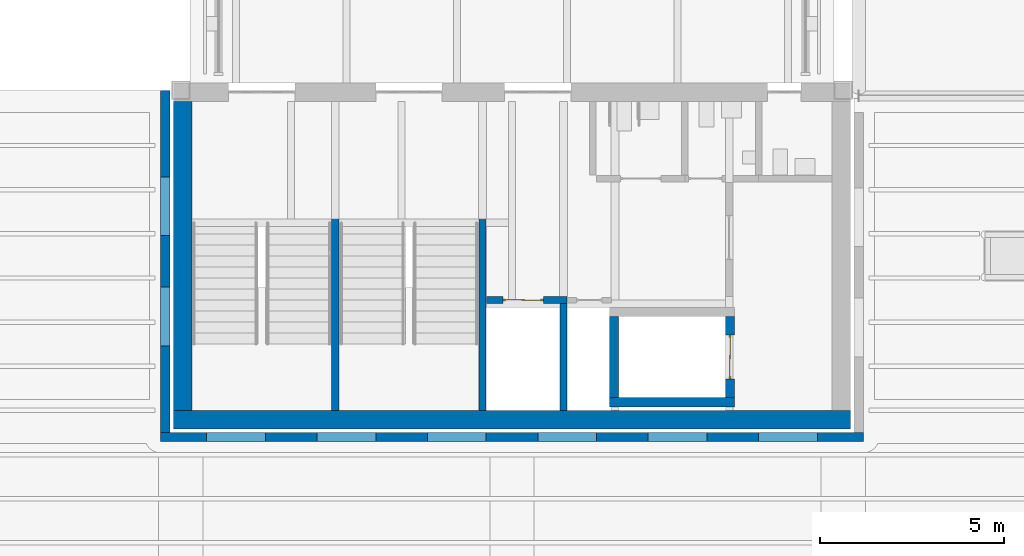
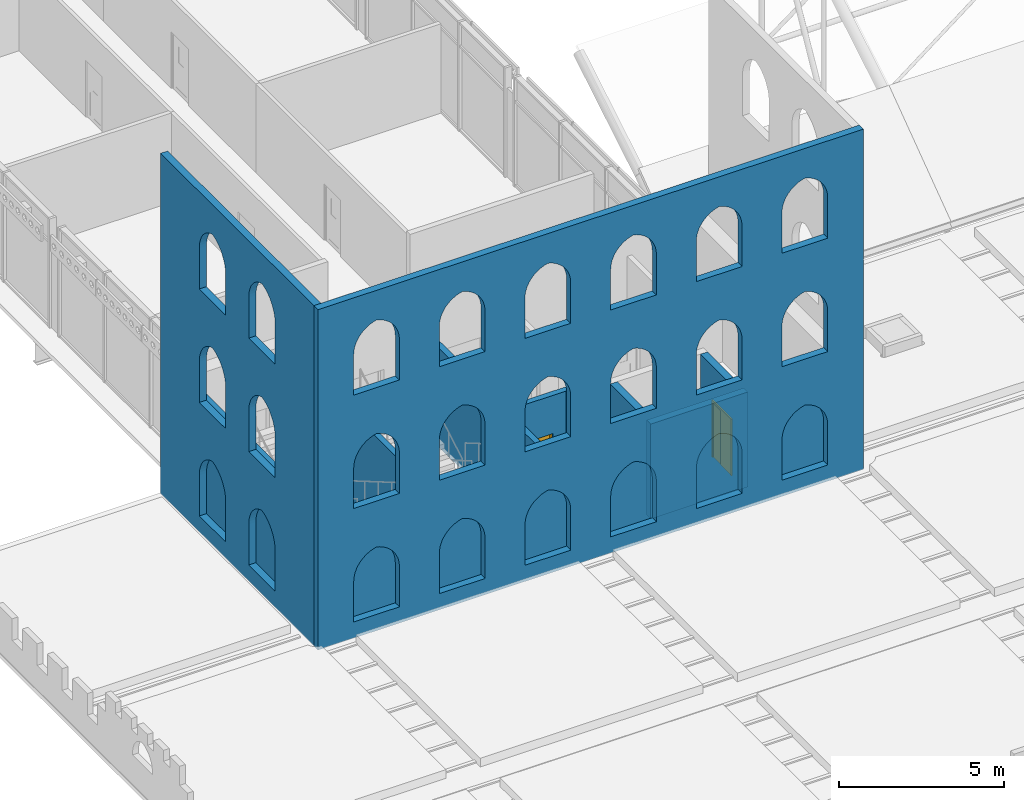
# One storey, part 103 of 153: 11 walls, 2 doors, 2 openings.
"""IFC4 building model written with IfcOpenShell, lengths in metres."""

import ifcopenshell
import ifcopenshell.guid

model = None  # the IFC model being written
_history = None  # IfcOwnerHistory: only IFC2X3 demands one
_inside = {}  # id of a spatial element -> (the spatial element, [elements in it])
_under = {}  # id of a project, library or spatial element -> (it, [spatial elements below it])
_declared = {}  # id of a project -> (the project, [libraries it declares])
_typed = {}  # id of a type object -> (the type object, [elements of that type])
_made_of = {}  # id of a material, layer set ... -> (it, [elements and type objects made of it])


def new_model(schema):
    """Start an empty IFC model of exactly this schema.

    Asked for "IFC4X3", IfcOpenShell would pick the latest addendum, in which some entities
    have other attributes; the version numbers below select the first issue.
    IFC2X3 requires an IfcOwnerHistory on every rooted entity: one is made here for all.
    """
    global model, _history
    if schema == "IFC4X3":
        model = ifcopenshell.file(schema_version=(4, 3, 0, 0))
    else:
        model = ifcopenshell.file(schema=schema)
    _inside.clear()
    _under.clear()
    _declared.clear()
    _typed.clear()
    _made_of.clear()
    _history = None
    if model.schema == "IFC2X3":
        org = make("IfcOrganization", Name="unknown")
        user = make(
            "IfcPersonAndOrganization",
            ThePerson=make("IfcPerson", FamilyName="unknown"),
            TheOrganization=org,
        )
        app = make(
            "IfcApplication",
            ApplicationDeveloper=org,
            Version="unknown",
            ApplicationFullName="unknown",
            ApplicationIdentifier="unknown",
        )
        _history = make(
            "IfcOwnerHistory",
            OwningUser=user,
            OwningApplication=app,
            ChangeAction="ADDED",
            CreationDate=0,
        )
    return model


def make(cls, **values):
    """One entity of the class cls with the attributes given. An attribute that is None is left unset."""
    return model.create_entity(
        cls, **{name: value for name, value in values.items() if value is not None}
    )


def rooted(cls, **values):
    """An entity with a GlobalId (a new one), such as an element, a storey or a relation."""
    return make(cls, GlobalId=ifcopenshell.guid.new(), OwnerHistory=_history, **values)


def si_unit(unit_type, name, prefix=None):
    """IfcSIUnit, for example si_unit("LENGTHUNIT", "METRE", prefix="MILLI")."""
    return make("IfcSIUnit", UnitType=unit_type, Prefix=prefix, Name=name)


def assignment(units):
    """IfcUnitAssignment: the units of a project."""
    return None if units is None else make("IfcUnitAssignment", Units=units)


def point(xyz):
    """IfcCartesianPoint."""
    return None if xyz is None else make("IfcCartesianPoint", Coordinates=xyz)


def direction(xyz):
    """IfcDirection."""
    return None if xyz is None else make("IfcDirection", DirectionRatios=xyz)


def frame(location, z_axis=None, x_axis=None):
    """IfcAxis2Placement3D, a coordinate frame: its origin and axes. An axis left out is left unset."""
    return make(
        "IfcAxis2Placement3D",
        Location=point(location),
        Axis=direction(z_axis),
        RefDirection=direction(x_axis),
    )


def frame_2d(location, x_axis=None):
    """IfcAxis2Placement2D, a coordinate frame in the plane: its origin and x axis."""
    return make(
        "IfcAxis2Placement2D", Location=point(location), RefDirection=direction(x_axis)
    )


def origin():
    """The frame at (0, 0, 0) with its axes left unset."""
    return frame((0.0, 0.0, 0.0))


def place(relative_to, where):
    """IfcLocalPlacement: puts the frame where relative to a parent placement (None: the world)."""
    return make(
        "IfcLocalPlacement", PlacementRelTo=relative_to, RelativePlacement=where
    )


def context(
    kind, dimensions, precision=None, world=None, true_north=None, identifier=None
):
    """IfcGeometricRepresentationContext, for example the 3D "Model" context."""
    return make(
        "IfcGeometricRepresentationContext",
        ContextIdentifier=identifier,
        ContextType=kind,
        CoordinateSpaceDimension=dimensions,
        Precision=precision,
        WorldCoordinateSystem=world,
        TrueNorth=true_north,
    )


def subcontext(parent, identifier, kind, view, scale=None):
    """IfcGeometricRepresentationSubContext, for example "Body" below "Model"."""
    return make(
        "IfcGeometricRepresentationSubContext",
        ContextIdentifier=identifier,
        ContextType=kind,
        ParentContext=parent,
        TargetScale=scale,
        TargetView=view,
    )


def project(units=None, contexts=None):
    """IfcProject with its units and contexts."""
    return rooted(
        "IfcProject",
        Name="project",
        RepresentationContexts=contexts,
        UnitsInContext=assignment(units),
    )


def spatial(cls, under=None, at=None, **own):
    """A site, building, storey or space (cls), placed at a placement, below another one or the project."""
    s = rooted(cls, ObjectPlacement=at, **own)
    if under is not None:
        _under.setdefault(under.id(), (under, []))[1].append(s)
    return s


def polyline(points):
    """IfcPolyline through the points."""
    return make("IfcPolyline", Points=[point(p) for p in points])


def profile(cls, at=None, kind="AREA", **sizes):
    """A parametric profile (cls). Its sizes go by their IFC names, for example OverallWidth=200.0."""
    return make(cls, ProfileType=kind, Position=at, **sizes)


def rectangle(**sizes):
    """IfcRectangleProfileDef."""
    return profile("IfcRectangleProfileDef", **sizes)


def outline(outer, holes=None, kind="AREA"):
    """IfcArbitraryClosedProfileDef: a profile drawn as a closed curve; with holes, ...WithVoids."""
    if holes is None:
        return make("IfcArbitraryClosedProfileDef", ProfileType=kind, OuterCurve=outer)
    return make(
        "IfcArbitraryProfileDefWithVoids",
        ProfileType=kind,
        OuterCurve=outer,
        InnerCurves=holes,
    )


def extrude(swept, where, along, depth):
    """IfcExtrudedAreaSolid: the profile swept, set in the frame where, extruded along a direction by depth."""
    return make(
        "IfcExtrudedAreaSolid",
        SweptArea=swept,
        Position=where,
        ExtrudedDirection=direction(along),
        Depth=depth,
    )


def shape(context_of_items, identifier, shape_type, items):
    """IfcShapeRepresentation: the items that make up one representation, for example the "Body"."""
    return make(
        "IfcShapeRepresentation",
        ContextOfItems=context_of_items,
        RepresentationIdentifier=identifier,
        RepresentationType=shape_type,
        Items=items,
    )


def material(Name=None, Category=None):
    """IfcMaterial."""
    return make("IfcMaterial", Name=Name, Category=Category)


def layer(
    of_material, thickness, ventilated=None, Name=None, Category=None, Priority=None
):
    """IfcMaterialLayer: one layer of a wall or slab, of a material (None: an air gap)."""
    return make(
        "IfcMaterialLayer",
        Material=of_material,
        LayerThickness=thickness,
        IsVentilated=ventilated,
        Name=Name,
        Category=Category,
        Priority=Priority,
    )


def layer_set(layers, Name=None):
    """IfcMaterialLayerSet."""
    return make("IfcMaterialLayerSet", MaterialLayers=layers, LayerSetName=Name)


def made_of(thing, what):
    """Note that an element or type object is made of a material, layer set ...; save() writes the relation."""
    if what is not None:
        _made_of.setdefault(what.id(), (what, []))[1].append(thing)
    return thing


def type_object(cls, material=None, **own):
    """A type object (cls), such as IfcWallType, which elements share."""
    return made_of(rooted(cls, **own), material)


def element(
    cls,
    number,
    at=None,
    inside=None,
    cuts=None,
    type_object=None,
    material=None,
    context=None,
    identifier="Body",
    shape_type=None,
    held_by="IfcProductDefinitionShape",
    body=None,
    shapes=None,
    **own,
):
    """One element of the class cls, such as IfcWall. Its Tag is "e" and its number.

    at: its placement. inside: the storey or other place that contains it. cuts: it is an
    opening in that element (IfcRelVoidsElement). A single representation is given by context,
    identifier, shape_type and body (its items); several are given by shapes. held_by: the class
    of the entity that holds the representations. save() writes the other relations.
    """
    e = rooted(cls, Tag="e%d" % number, ObjectPlacement=at, **own)
    if body is not None:
        shapes = [shape(context, identifier, shape_type, body)]
    if shapes is not None:
        e.Representation = make(held_by, Representations=shapes)
    if inside is not None:
        _inside.setdefault(inside.id(), (inside, []))[1].append(e)
    if cuts is not None:
        rooted(
            "IfcRelVoidsElement", RelatingBuildingElement=cuts, RelatedOpeningElement=e
        )
    if type_object is not None:
        _typed.setdefault(type_object.id(), (type_object, []))[1].append(e)
    return made_of(e, material)


def fill(opening, filler):
    """IfcRelFillsElement: the door or window that sits in an opening."""
    return rooted(
        "IfcRelFillsElement",
        RelatingOpeningElement=opening,
        RelatedBuildingElement=filler,
    )


def aggregate(whole, parts):
    """IfcRelAggregates: a whole, such as a stair, and the parts it consists of."""
    return rooted("IfcRelAggregates", RelatingObject=whole, RelatedObjects=parts)


def save(model, path):
    """Write the relations noted so far, then the file.

    IfcRelAggregates (storeys below a building ...), IfcRelContainedInSpatialStructure (elements
    in a storey), IfcRelDefinesByType, IfcRelAssociatesMaterial and IfcRelDeclares: one each for
    every whole, place, type object, material and project.
    """
    for whole, parts in _under.values():
        aggregate(whole, parts)
    for where, things in _inside.values():
        rooted(
            "IfcRelContainedInSpatialStructure",
            RelatedElements=things,
            RelatingStructure=where,
        )
    for kind, things in _typed.values():
        rooted("IfcRelDefinesByType", RelatedObjects=things, RelatingType=kind)
    for what, things in _made_of.values():
        rooted("IfcRelAssociatesMaterial", RelatedObjects=things, RelatingMaterial=what)
    for by, libraries in _declared.values():
        rooted("IfcRelDeclares", RelatingContext=by, RelatedDefinitions=libraries)
    model.write(path)


model = new_model("IFC4")

# Units and contexts
model_context = context("Model", 3, precision=1e-05, world=origin(), true_north=direction((0.0, 1.0)))
body_context = subcontext(model_context, "Body", "Model", "MODEL_VIEW")
ifc_project = project(units=[si_unit("LENGTHUNIT", "METRE"), si_unit("AREAUNIT", "SQUARE_METRE"), si_unit("VOLUMEUNIT", "CUBIC_METRE"), si_unit("PLANEANGLEUNIT", "RADIAN"), si_unit("MASSUNIT", "GRAM", prefix="KILO")], contexts=[model_context])

# Site, building, storey
site_placement = place(None, origin())
site = spatial("IfcSite", under=ifc_project, at=site_placement, CompositionType="ELEMENT")
building_placement = place(site_placement, origin())
building = spatial("IfcBuilding", under=site, at=building_placement, Name="Baradari Gate Terminus", CompositionType="ELEMENT")
storey_placement = place(building_placement, frame((0.0, 0.0, 11.699951171875)))
storey = spatial("IfcBuildingStorey", under=building, at=storey_placement, Name="L02", CompositionType="ELEMENT", Elevation=11.699951171875)

# Walls
ifc_material_1 = material(Name="Concrete C40/50", Category="concrete")
ifc_layer_1 = layer(ifc_material_1, 0.5)
ifc_layer_set_1 = layer_set([ifc_layer_1], Name="Concrete C40/50")
wall_type_1 = type_object("IfcWallType", Name="Abutment core wall CWL05 500", PredefinedType="SOLIDWALL", material=ifc_layer_set_1)
wall_1_placement = place(storey_placement, frame((71.800048828125, 27.050048828125, 0.0), z_axis=(0.0, 0.0, 1.0), x_axis=(1.0, 0.0, 0.0)))
element("IfcWall", 1, at=wall_1_placement, inside=storey, type_object=wall_type_1, Name="Abutment core wall GS S L02", PredefinedType="SOLIDWALL", context=body_context, shape_type="SweptSolid", body=[
    extrude(rectangle(XDim=18.39990234375, YDim=0.5, at=frame_2d((9.199951171875, 0.0))), origin(), (0.0, 0.0, 1.0), 4.199951171875),
])
wall_2_placement = place(storey_placement, frame((72.050048828125, 27.300048828125, 0.0), z_axis=(0.0, 0.0, 1.0), x_axis=(0.0, 1.0, 0.0)))
element("IfcWall", 2, at=wall_2_placement, inside=storey, type_object=wall_type_1, Name="Abutment core wall GS W L02", PredefinedType="SOLIDWALL", context=body_context, shape_type="SweptSolid", body=[
    extrude(rectangle(XDim=8.39990234375, YDim=0.5, at=frame_2d((4.199951171875, 0.0))), origin(), (0.0, 0.0, 1.0), 4.199951171875),
])
ifc_material_2 = material(Name="Concrete C32/40", Category="concrete")
ifc_layer_2 = layer(ifc_material_2, 0.25)
ifc_layer_set_2 = layer_set([ifc_layer_2], Name="Concrete C32/40")
wall_type_2 = type_object("IfcWallType", Name="Firefighting lift shaft wall SH-2 250 EI 120", PredefinedType="SOLIDWALL", material=ifc_layer_set_2)
wall_3_placement = place(storey_placement, frame((83.64990234375, 27.52490234375, 0.0), z_axis=(0.0, 0.0, 1.0), x_axis=(1.0, 0.0, 0.0)))
element("IfcWall", 3, at=wall_3_placement, inside=storey, type_object=wall_type_2, Name="Lift shaft wall LGS2 L02 S", PredefinedType="SOLIDWALL", context=body_context, shape_type="SweptSolid", body=[
    extrude(rectangle(XDim=3.400146484375, YDim=0.25, at=frame_2d((1.7001953125, 0.0))), origin(), (0.0, 0.0, 1.0), 3.51611328125),
])
wall_4_placement = place(storey_placement, frame((83.77490234375, 27.64990234375, 0.0), z_axis=(0.0, 0.0, 1.0), x_axis=(0.0, 1.0, 0.0)))
element("IfcWall", 4, at=wall_4_placement, inside=storey, type_object=wall_type_2, Name="Lift shaft wall LGS2 L02 W", PredefinedType="SOLIDWALL", context=body_context, shape_type="SweptSolid", body=[
    extrude(rectangle(XDim=2.2001953125, YDim=0.25, at=frame_2d((1.10009765625, 0.0))), origin(), (0.0, 0.0, 1.0), 3.51611328125),
])

# Wall, opening, door
wall_5_placement = place(storey_placement, frame((86.925048828125, 27.64990234375, 0.0), z_axis=(0.0, 0.0, 1.0), x_axis=(0.0, 1.0, 0.0)))
wall_5 = element("IfcWall", 5, at=wall_5_placement, inside=storey, type_object=wall_type_2, Name="Lift shaft wall LGS2 L02 E", PredefinedType="SOLIDWALL", context=body_context, shape_type="SweptSolid", body=[
    extrude(rectangle(XDim=2.2001953125, YDim=0.25, at=frame_2d((1.10009765625, 0.0))), origin(), (0.0, 0.0, 1.0), 3.51611328125),
])
opening_1_placement = place(wall_5_placement, frame((0.5, 0.0, 0.0)))
opening_1 = element("IfcOpeningElement", 6, at=opening_1_placement, cuts=wall_5, Name="Opening D02-004", PredefinedType="OPENING", context=body_context, shape_type="SweptSolid", body=[
    extrude(rectangle(XDim=1.199951171875, YDim=2.10009765625, at=frame_2d((0.60009765625, 1.050048828125))), frame((0.0, 0.135009765625, 0.0), z_axis=(0.0, -1.0, 0.0), x_axis=(1.0, 0.0, 0.0)), (0.0, 0.0, 1.0), 0.27001953125),
])
ifc_material_3 = material(Name="Stainless steel 1.4301", Category="steel")
door_type_1 = type_object("IfcDoorType", Name="Lift landing door LD2 1200x2100 E 120", OperationType="SLIDING_TO_LEFT", PredefinedType="DOOR", material=ifc_material_3)
door_1_placement = place(opening_1_placement, origin())
door_1 = element("IfcDoor", 7, at=door_1_placement, inside=storey, type_object=door_type_1, Name="Lift landing door LGS2 L02", OperationType="SLIDING_TO_LEFT", OverallHeight=2.1, OverallWidth=1.2, PredefinedType="DOOR", context=body_context, shape_type="SweptSolid", body=[
    extrude(outline(polyline([(0.0, 0.0), (0.070068359375, 0.0), (0.070068359375, 2.030029296875), (1.1298828125, 2.030029296875), (1.1298828125, 0.0), (1.199951171875, 0.0), (1.199951171875, 2.10009765625), (0.0, 2.10009765625), (0.0, 0.0)])), frame((0.0, 0.02490234375, 0.0), z_axis=(0.0, -1.0, 0.0), x_axis=(1.0, 0.0, 0.0)), (0.0, 0.0, 1.0), 0.050048828125),
    extrude(rectangle(XDim=0.57861328125, YDim=2.01611328125, at=frame_2d((0.36328125, 1.01806640625))), frame((0.0, 0.017822265625, 0.0), z_axis=(0.0, -1.0, 0.0), x_axis=(1.0, 0.0, 0.0)), (0.0, 0.0, 1.0), 0.015869140625),
    extrude(rectangle(XDim=0.57470703125, YDim=2.01611328125, at=frame_2d((0.838623046875, 1.01806640625))), frame((0.0, -0.002197265625, 0.0), z_axis=(0.0, -1.0, 0.0), x_axis=(1.0, 0.0, 0.0)), (0.0, 0.0, 1.0), 0.015869140625),
])
fill(opening_1, door_1)

# Walls
ifc_material_4 = material(Name="Laterite masonry", Category="masonry")
ifc_layer_3 = layer(ifc_material_4, 0.25)
ifc_layer_set_3 = layer_set([ifc_layer_3], Name="Laterite masonry")
wall_type_3 = type_object("IfcWallType", Name="Laterite masonry wall WP-1 250", PredefinedType="SOLIDWALL", material=ifc_layer_set_3)
wall_6_placement = place(storey_placement, frame((71.449951171875, 26.574951171875, 0.0), z_axis=(0.0, 0.0, 1.0), x_axis=(1.0, 0.0, 0.0)))
element("IfcWall", 8, at=wall_6_placement, inside=storey, type_object=wall_type_3, Name="Core front course GS far face 1", PredefinedType="SOLIDWALL", context=body_context, shape_type="SweptSolid", body=[
    extrude(outline(polyline([(0.0, 0.0), (19.10009765625, 0.0), (19.10009765625, 12.60009765625), (0.0, 12.60009765625), (0.0, 0.0)]), holes=[polyline([(1.307861328125, 2.439453125), (1.35205078125, 2.545654296875), (1.40771484375, 2.646484375), (1.474609375, 2.740234375), (1.551513671875, 2.826171875), (1.6376953125, 2.90283203125), (1.731689453125, 2.96923828125), (1.83251953125, 3.024658203125), (1.939208984375, 3.068359375), (2.050048828125, 3.10009765625), (2.160888671875, 3.068359375), (2.267333984375, 3.024658203125), (2.368408203125, 2.96923828125), (2.46240234375, 2.90283203125), (2.548583984375, 2.826171875), (2.62548828125, 2.740234375), (2.692138671875, 2.646484375), (2.748046875, 2.545654296875), (2.792236328125, 2.439453125), (2.82421875, 2.32861328125), (2.843505859375, 2.215087890625), (2.85009765625, 2.10009765625), (2.85009765625, 0.60009765625), (1.25, 0.60009765625), (1.25, 2.10009765625), (1.256591796875, 2.215087890625), (1.27587890625, 2.32861328125), (1.307861328125, 2.439453125)]), polyline([(4.307861328125, 2.439453125), (4.35205078125, 2.545654296875), (4.40771484375, 2.646484375), (4.474609375, 2.740234375), (4.551513671875, 2.826171875), (4.6376953125, 2.90283203125), (4.731689453125, 2.96923828125), (4.83251953125, 3.024658203125), (4.939208984375, 3.068359375), (5.050048828125, 3.10009765625), (5.160888671875, 3.068359375), (5.267333984375, 3.024658203125), (5.368408203125, 2.96923828125), (5.46240234375, 2.90283203125), (5.548583984375, 2.826171875), (5.62548828125, 2.740234375), (5.692138671875, 2.646484375), (5.748046875, 2.545654296875), (5.792236328125, 2.439453125), (5.82421875, 2.32861328125), (5.843505859375, 2.215087890625), (5.85009765625, 2.10009765625), (5.85009765625, 0.60009765625), (4.25, 0.60009765625), (4.25, 2.10009765625), (4.256591796875, 2.215087890625), (4.27587890625, 2.32861328125), (4.307861328125, 2.439453125)]), polyline([(7.307861328125, 2.439453125), (7.35205078125, 2.545654296875), (7.40771484375, 2.646484375), (7.474609375, 2.740234375), (7.551513671875, 2.826171875), (7.6376953125, 2.90283203125), (7.731689453125, 2.96923828125), (7.83251953125, 3.024658203125), (7.939208984375, 3.068359375), (8.050048828125, 3.10009765625), (8.160888671875, 3.068359375), (8.267333984375, 3.024658203125), (8.368408203125, 2.96923828125), (8.46240234375, 2.90283203125), (8.548583984375, 2.826171875), (8.62548828125, 2.740234375), (8.692138671875, 2.646484375), (8.748046875, 2.545654296875), (8.792236328125, 2.439453125), (8.82421875, 2.32861328125), (8.843505859375, 2.215087890625), (8.85009765625, 2.10009765625), (8.85009765625, 0.60009765625), (7.25, 0.60009765625), (7.25, 2.10009765625), (7.256591796875, 2.215087890625), (7.27587890625, 2.32861328125), (7.307861328125, 2.439453125)]), polyline([(1.307861328125, 6.639404296875), (1.35205078125, 6.745849609375), (1.40771484375, 6.846435546875), (1.474609375, 6.9404296875), (1.551513671875, 7.026123046875), (1.6376953125, 7.102783203125), (1.731689453125, 7.169189453125), (1.83251953125, 7.224609375), (1.939208984375, 7.2685546875), (2.050048828125, 7.300048828125), (2.160888671875, 7.2685546875), (2.267333984375, 7.224609375), (2.368408203125, 7.169189453125), (2.46240234375, 7.102783203125), (2.548583984375, 7.026123046875), (2.62548828125, 6.9404296875), (2.692138671875, 6.846435546875), (2.748046875, 6.745849609375), (2.792236328125, 6.639404296875), (2.82421875, 6.528564453125), (2.843505859375, 6.4150390625), (2.85009765625, 6.300048828125), (2.85009765625, 4.800048828125), (1.25, 4.800048828125), (1.25, 6.300048828125), (1.256591796875, 6.4150390625), (1.27587890625, 6.528564453125), (1.307861328125, 6.639404296875)]), polyline([(4.307861328125, 6.639404296875), (4.35205078125, 6.745849609375), (4.40771484375, 6.846435546875), (4.474609375, 6.9404296875), (4.551513671875, 7.026123046875), (4.6376953125, 7.102783203125), (4.731689453125, 7.169189453125), (4.83251953125, 7.224609375), (4.939208984375, 7.2685546875), (5.050048828125, 7.300048828125), (5.160888671875, 7.2685546875), (5.267333984375, 7.224609375), (5.368408203125, 7.169189453125), (5.46240234375, 7.102783203125), (5.548583984375, 7.026123046875), (5.62548828125, 6.9404296875), (5.692138671875, 6.846435546875), (5.748046875, 6.745849609375), (5.792236328125, 6.639404296875), (5.82421875, 6.528564453125), (5.843505859375, 6.4150390625), (5.85009765625, 6.300048828125), (5.85009765625, 4.800048828125), (4.25, 4.800048828125), (4.25, 6.300048828125), (4.256591796875, 6.4150390625), (4.27587890625, 6.528564453125), (4.307861328125, 6.639404296875)]), polyline([(7.307861328125, 6.639404296875), (7.35205078125, 6.745849609375), (7.40771484375, 6.846435546875), (7.474609375, 6.9404296875), (7.551513671875, 7.026123046875), (7.6376953125, 7.102783203125), (7.731689453125, 7.169189453125), (7.83251953125, 7.224609375), (7.939208984375, 7.2685546875), (8.050048828125, 7.300048828125), (8.160888671875, 7.2685546875), (8.267333984375, 7.224609375), (8.368408203125, 7.169189453125), (8.46240234375, 7.102783203125), (8.548583984375, 7.026123046875), (8.62548828125, 6.9404296875), (8.692138671875, 6.846435546875), (8.748046875, 6.745849609375), (8.792236328125, 6.639404296875), (8.82421875, 6.528564453125), (8.843505859375, 6.4150390625), (8.85009765625, 6.300048828125), (8.85009765625, 4.800048828125), (7.25, 4.800048828125), (7.25, 6.300048828125), (7.256591796875, 6.4150390625), (7.27587890625, 6.528564453125), (7.307861328125, 6.639404296875)]), polyline([(1.307861328125, 10.83935546875), (1.35205078125, 10.94580078125), (1.40771484375, 11.04638671875), (1.474609375, 11.140380859375), (1.551513671875, 11.22607421875), (1.6376953125, 11.302734375), (1.731689453125, 11.369140625), (1.83251953125, 11.424560546875), (1.939208984375, 11.468505859375), (2.050048828125, 11.5), (2.160888671875, 11.468505859375), (2.267333984375, 11.424560546875), (2.368408203125, 11.369140625), (2.46240234375, 11.302734375), (2.548583984375, 11.22607421875), (2.62548828125, 11.140380859375), (2.692138671875, 11.04638671875), (2.748046875, 10.94580078125), (2.792236328125, 10.83935546875), (2.82421875, 10.728759765625), (2.843505859375, 10.614990234375), (2.85009765625, 10.5), (2.85009765625, 9.0), (1.25, 9.0), (1.25, 10.5), (1.256591796875, 10.614990234375), (1.27587890625, 10.728759765625), (1.307861328125, 10.83935546875)]), polyline([(4.35205078125, 10.94580078125), (4.40771484375, 11.04638671875), (4.474609375, 11.140380859375), (4.551513671875, 11.22607421875), (4.6376953125, 11.302734375), (4.731689453125, 11.369140625), (4.83251953125, 11.424560546875), (4.939208984375, 11.468505859375), (5.050048828125, 11.5), (5.160888671875, 11.468505859375), (5.267333984375, 11.424560546875), (5.368408203125, 11.369140625), (5.46240234375, 11.302734375), (5.548583984375, 11.22607421875), (5.62548828125, 11.140380859375), (5.692138671875, 11.04638671875), (5.748046875, 10.94580078125), (5.792236328125, 10.83935546875), (5.82421875, 10.728759765625), (5.843505859375, 10.614990234375), (5.85009765625, 10.5), (5.85009765625, 9.0), (4.25, 9.0), (4.25, 10.5), (4.256591796875, 10.614990234375), (4.27587890625, 10.728759765625), (4.307861328125, 10.83935546875), (4.35205078125, 10.94580078125)]), polyline([(7.35205078125, 10.94580078125), (7.40771484375, 11.04638671875), (7.474609375, 11.140380859375), (7.551513671875, 11.22607421875), (7.6376953125, 11.302734375), (7.731689453125, 11.369140625), (7.83251953125, 11.424560546875), (7.939208984375, 11.468505859375), (8.050048828125, 11.5), (8.160888671875, 11.468505859375), (8.267333984375, 11.424560546875), (8.368408203125, 11.369140625), (8.46240234375, 11.302734375), (8.548583984375, 11.22607421875), (8.62548828125, 11.140380859375), (8.692138671875, 11.04638671875), (8.748046875, 10.94580078125), (8.792236328125, 10.83935546875), (8.82421875, 10.728759765625), (8.843505859375, 10.614990234375), (8.85009765625, 10.5), (8.85009765625, 9.0), (7.25, 9.0), (7.25, 10.5), (7.256591796875, 10.614990234375), (7.27587890625, 10.728759765625), (7.307861328125, 10.83935546875), (7.35205078125, 10.94580078125)]), polyline([(10.307861328125, 2.439453125), (10.35205078125, 2.545654296875), (10.40771484375, 2.646484375), (10.474609375, 2.740234375), (10.551513671875, 2.826171875), (10.6376953125, 2.90283203125), (10.731689453125, 2.96923828125), (10.83251953125, 3.024658203125), (10.939208984375, 3.068359375), (11.050048828125, 3.10009765625), (11.160888671875, 3.068359375), (11.267333984375, 3.024658203125), (11.368408203125, 2.96923828125), (11.46240234375, 2.90283203125), (11.548583984375, 2.826171875), (11.62548828125, 2.740234375), (11.692138671875, 2.646484375), (11.748046875, 2.545654296875), (11.792236328125, 2.439453125), (11.82421875, 2.32861328125), (11.843505859375, 2.215087890625), (11.85009765625, 2.10009765625), (11.85009765625, 0.60009765625), (10.25, 0.60009765625), (10.25, 2.10009765625), (10.256591796875, 2.215087890625), (10.27587890625, 2.32861328125), (10.307861328125, 2.439453125)]), polyline([(13.307861328125, 2.439453125), (13.35205078125, 2.545654296875), (13.40771484375, 2.646484375), (13.474609375, 2.740234375), (13.551513671875, 2.826171875), (13.6376953125, 2.90283203125), (13.731689453125, 2.96923828125), (13.83251953125, 3.024658203125), (13.939208984375, 3.068359375), (14.050048828125, 3.10009765625), (14.160888671875, 3.068359375), (14.267333984375, 3.024658203125), (14.368408203125, 2.96923828125), (14.46240234375, 2.90283203125), (14.548583984375, 2.826171875), (14.62548828125, 2.740234375), (14.692138671875, 2.646484375), (14.748046875, 2.545654296875), (14.792236328125, 2.439453125), (14.82421875, 2.32861328125), (14.843505859375, 2.215087890625), (14.85009765625, 2.10009765625), (14.85009765625, 0.60009765625), (13.25, 0.60009765625), (13.25, 2.10009765625), (13.256591796875, 2.215087890625), (13.27587890625, 2.32861328125), (13.307861328125, 2.439453125)]), polyline([(16.307861328125, 2.439453125), (16.35205078125, 2.545654296875), (16.40771484375, 2.646484375), (16.474609375, 2.740234375), (16.551513671875, 2.826171875), (16.6376953125, 2.90283203125), (16.731689453125, 2.96923828125), (16.83251953125, 3.024658203125), (16.939208984375, 3.068359375), (17.050048828125, 3.10009765625), (17.160888671875, 3.068359375), (17.267333984375, 3.024658203125), (17.368408203125, 2.96923828125), (17.46240234375, 2.90283203125), (17.548583984375, 2.826171875), (17.62548828125, 2.740234375), (17.692138671875, 2.646484375), (17.748046875, 2.545654296875), (17.792236328125, 2.439453125), (17.82421875, 2.32861328125), (17.843505859375, 2.215087890625), (17.85009765625, 2.10009765625), (17.85009765625, 0.60009765625), (16.25, 0.60009765625), (16.25, 2.10009765625), (16.256591796875, 2.215087890625), (16.27587890625, 2.32861328125), (16.307861328125, 2.439453125)]), polyline([(10.307861328125, 6.639404296875), (10.35205078125, 6.745849609375), (10.40771484375, 6.846435546875), (10.474609375, 6.9404296875), (10.551513671875, 7.026123046875), (10.6376953125, 7.102783203125), (10.731689453125, 7.169189453125), (10.83251953125, 7.224609375), (10.939208984375, 7.2685546875), (11.050048828125, 7.300048828125), (11.160888671875, 7.2685546875), (11.267333984375, 7.224609375), (11.368408203125, 7.169189453125), (11.46240234375, 7.102783203125), (11.548583984375, 7.026123046875), (11.62548828125, 6.9404296875), (11.692138671875, 6.846435546875), (11.748046875, 6.745849609375), (11.792236328125, 6.639404296875), (11.82421875, 6.528564453125), (11.843505859375, 6.4150390625), (11.85009765625, 6.300048828125), (11.85009765625, 4.800048828125), (10.25, 4.800048828125), (10.25, 6.300048828125), (10.256591796875, 6.4150390625), (10.27587890625, 6.528564453125), (10.307861328125, 6.639404296875)]), polyline([(13.307861328125, 6.639404296875), (13.35205078125, 6.745849609375), (13.40771484375, 6.846435546875), (13.474609375, 6.9404296875), (13.551513671875, 7.026123046875), (13.6376953125, 7.102783203125), (13.731689453125, 7.169189453125), (13.83251953125, 7.224609375), (13.939208984375, 7.2685546875), (14.050048828125, 7.300048828125), (14.160888671875, 7.2685546875), (14.267333984375, 7.224609375), (14.368408203125, 7.169189453125), (14.46240234375, 7.102783203125), (14.548583984375, 7.026123046875), (14.62548828125, 6.9404296875), (14.692138671875, 6.846435546875), (14.748046875, 6.745849609375), (14.792236328125, 6.639404296875), (14.82421875, 6.528564453125), (14.843505859375, 6.4150390625), (14.85009765625, 6.300048828125), (14.85009765625, 4.800048828125), (13.25, 4.800048828125), (13.25, 6.300048828125), (13.256591796875, 6.4150390625), (13.27587890625, 6.528564453125), (13.307861328125, 6.639404296875)]), polyline([(16.307861328125, 6.639404296875), (16.35205078125, 6.745849609375), (16.40771484375, 6.846435546875), (16.474609375, 6.9404296875), (16.551513671875, 7.026123046875), (16.6376953125, 7.102783203125), (16.731689453125, 7.169189453125), (16.83251953125, 7.224609375), (16.939208984375, 7.2685546875), (17.050048828125, 7.300048828125), (17.160888671875, 7.2685546875), (17.267333984375, 7.224609375), (17.368408203125, 7.169189453125), (17.46240234375, 7.102783203125), (17.548583984375, 7.026123046875), (17.62548828125, 6.9404296875), (17.692138671875, 6.846435546875), (17.748046875, 6.745849609375), (17.792236328125, 6.639404296875), (17.82421875, 6.528564453125), (17.843505859375, 6.4150390625), (17.85009765625, 6.300048828125), (17.85009765625, 4.800048828125), (16.25, 4.800048828125), (16.25, 6.300048828125), (16.256591796875, 6.4150390625), (16.27587890625, 6.528564453125), (16.307861328125, 6.639404296875)]), polyline([(10.307861328125, 10.83935546875), (10.35205078125, 10.94580078125), (10.40771484375, 11.04638671875), (10.474609375, 11.140380859375), (10.551513671875, 11.22607421875), (10.6376953125, 11.302734375), (10.731689453125, 11.369140625), (10.83251953125, 11.424560546875), (10.939208984375, 11.468505859375), (11.050048828125, 11.5), (11.160888671875, 11.468505859375), (11.267333984375, 11.424560546875), (11.368408203125, 11.369140625), (11.46240234375, 11.302734375), (11.548583984375, 11.22607421875), (11.62548828125, 11.140380859375), (11.692138671875, 11.04638671875), (11.748046875, 10.94580078125), (11.792236328125, 10.83935546875), (11.82421875, 10.728759765625), (11.843505859375, 10.614990234375), (11.85009765625, 10.5), (11.85009765625, 9.0), (10.25, 9.0), (10.25, 10.5), (10.256591796875, 10.614990234375), (10.27587890625, 10.728759765625), (10.307861328125, 10.83935546875)]), polyline([(13.35205078125, 10.94580078125), (13.40771484375, 11.04638671875), (13.474609375, 11.140380859375), (13.551513671875, 11.22607421875), (13.6376953125, 11.302734375), (13.731689453125, 11.369140625), (13.83251953125, 11.424560546875), (13.939208984375, 11.468505859375), (14.050048828125, 11.5), (14.160888671875, 11.468505859375), (14.267333984375, 11.424560546875), (14.368408203125, 11.369140625), (14.46240234375, 11.302734375), (14.548583984375, 11.22607421875), (14.62548828125, 11.140380859375), (14.692138671875, 11.04638671875), (14.748046875, 10.94580078125), (14.792236328125, 10.83935546875), (14.82421875, 10.728759765625), (14.843505859375, 10.614990234375), (14.85009765625, 10.5), (14.85009765625, 9.0), (13.25, 9.0), (13.25, 10.5), (13.256591796875, 10.614990234375), (13.27587890625, 10.728759765625), (13.307861328125, 10.83935546875), (13.35205078125, 10.94580078125)]), polyline([(16.35205078125, 10.94580078125), (16.40771484375, 11.04638671875), (16.474609375, 11.140380859375), (16.551513671875, 11.22607421875), (16.6376953125, 11.302734375), (16.731689453125, 11.369140625), (16.83251953125, 11.424560546875), (16.939208984375, 11.468505859375), (17.050048828125, 11.5), (17.160888671875, 11.468505859375), (17.267333984375, 11.424560546875), (17.368408203125, 11.369140625), (17.46240234375, 11.302734375), (17.548583984375, 11.22607421875), (17.62548828125, 11.140380859375), (17.692138671875, 11.04638671875), (17.748046875, 10.94580078125), (17.792236328125, 10.83935546875), (17.82421875, 10.728759765625), (17.843505859375, 10.614990234375), (17.85009765625, 10.5), (17.85009765625, 9.0), (16.25, 9.0), (16.25, 10.5), (16.256591796875, 10.614990234375), (16.27587890625, 10.728759765625), (16.307861328125, 10.83935546875), (16.35205078125, 10.94580078125)])]), frame((0.0, 0.125, 0.0), z_axis=(0.0, -1.0, 0.0), x_axis=(1.0, 0.0, 0.0)), (0.0, 0.0, 1.0), 0.25),
])
wall_7_placement = place(storey_placement, frame((71.574951171875, 26.699951171875, 0.0), z_axis=(0.0, 0.0, 1.0), x_axis=(0.0, 1.0, 0.0)))
element("IfcWall", 9, at=wall_7_placement, inside=storey, type_object=wall_type_3, Name="Core front course GS west face 1", PredefinedType="SOLIDWALL", context=body_context, shape_type="SweptSolid", body=[
    extrude(outline(polyline([(0.0, 0.0), (9.300048828125, 0.0), (9.300048828125, 12.60009765625), (0.0, 12.60009765625), (0.0, 0.0)]), holes=[polyline([(2.3564453125, 2.215087890625), (2.375732421875, 2.32861328125), (2.40771484375, 2.439453125), (2.451904296875, 2.545654296875), (2.5078125, 2.646484375), (2.57470703125, 2.740234375), (2.651611328125, 2.826171875), (2.737548828125, 2.90283203125), (2.831787109375, 2.96923828125), (2.9326171875, 3.024658203125), (3.039306640625, 3.068359375), (3.14990234375, 3.10009765625), (3.2607421875, 3.068359375), (3.367431640625, 3.024658203125), (3.46826171875, 2.96923828125), (3.5625, 2.90283203125), (3.6484375, 2.826171875), (3.725341796875, 2.740234375), (3.792236328125, 2.646484375), (3.847900390625, 2.545654296875), (3.89208984375, 2.439453125), (3.92431640625, 2.32861328125), (3.943603515625, 2.215087890625), (3.949951171875, 2.10009765625), (3.949951171875, 0.60009765625), (2.35009765625, 0.60009765625), (2.35009765625, 2.10009765625), (2.3564453125, 2.215087890625)]), polyline([(5.375732421875, 2.32861328125), (5.40771484375, 2.439453125), (5.451904296875, 2.545654296875), (5.5078125, 2.646484375), (5.57470703125, 2.740234375), (5.651611328125, 2.826171875), (5.737548828125, 2.90283203125), (5.831787109375, 2.96923828125), (5.9326171875, 3.024658203125), (6.039306640625, 3.068359375), (6.14990234375, 3.10009765625), (6.2607421875, 3.068359375), (6.367431640625, 3.024658203125), (6.46826171875, 2.96923828125), (6.5625, 2.90283203125), (6.6484375, 2.826171875), (6.725341796875, 2.740234375), (6.792236328125, 2.646484375), (6.847900390625, 2.545654296875), (6.89208984375, 2.439453125), (6.92431640625, 2.32861328125), (6.943603515625, 2.215087890625), (6.949951171875, 2.10009765625), (6.949951171875, 0.60009765625), (5.35009765625, 0.60009765625), (5.35009765625, 2.10009765625), (5.3564453125, 2.215087890625), (5.375732421875, 2.32861328125)]), polyline([(2.375732421875, 6.528564453125), (2.40771484375, 6.639404296875), (2.451904296875, 6.745849609375), (2.5078125, 6.846435546875), (2.57470703125, 6.9404296875), (2.651611328125, 7.026123046875), (2.737548828125, 7.102783203125), (2.831787109375, 7.169189453125), (2.9326171875, 7.224609375), (3.039306640625, 7.2685546875), (3.14990234375, 7.300048828125), (3.2607421875, 7.2685546875), (3.367431640625, 7.224609375), (3.46826171875, 7.169189453125), (3.5625, 7.102783203125), (3.6484375, 7.026123046875), (3.725341796875, 6.9404296875), (3.792236328125, 6.846435546875), (3.847900390625, 6.745849609375), (3.89208984375, 6.639404296875), (3.92431640625, 6.528564453125), (3.943603515625, 6.4150390625), (3.949951171875, 6.300048828125), (3.949951171875, 4.800048828125), (2.35009765625, 4.800048828125), (2.35009765625, 6.300048828125), (2.3564453125, 6.4150390625), (2.375732421875, 6.528564453125)]), polyline([(5.3564453125, 6.4150390625), (5.375732421875, 6.528564453125), (5.40771484375, 6.639404296875), (5.451904296875, 6.745849609375), (5.5078125, 6.846435546875), (5.57470703125, 6.9404296875), (5.651611328125, 7.026123046875), (5.737548828125, 7.102783203125), (5.831787109375, 7.169189453125), (5.9326171875, 7.224609375), (6.039306640625, 7.2685546875), (6.14990234375, 7.300048828125), (6.2607421875, 7.2685546875), (6.367431640625, 7.224609375), (6.46826171875, 7.169189453125), (6.5625, 7.102783203125), (6.6484375, 7.026123046875), (6.725341796875, 6.9404296875), (6.792236328125, 6.846435546875), (6.847900390625, 6.745849609375), (6.89208984375, 6.639404296875), (6.92431640625, 6.528564453125), (6.943603515625, 6.4150390625), (6.949951171875, 6.300048828125), (6.949951171875, 4.800048828125), (5.35009765625, 4.800048828125), (5.35009765625, 6.300048828125), (5.3564453125, 6.4150390625)]), polyline([(2.375732421875, 10.728759765625), (2.40771484375, 10.83935546875), (2.451904296875, 10.94580078125), (2.5078125, 11.04638671875), (2.57470703125, 11.140380859375), (2.651611328125, 11.22607421875), (2.737548828125, 11.302734375), (2.831787109375, 11.369140625), (2.9326171875, 11.424560546875), (3.039306640625, 11.468505859375), (3.14990234375, 11.5), (3.2607421875, 11.468505859375), (3.367431640625, 11.424560546875), (3.46826171875, 11.369140625), (3.5625, 11.302734375), (3.6484375, 11.22607421875), (3.725341796875, 11.140380859375), (3.792236328125, 11.04638671875), (3.847900390625, 10.94580078125), (3.89208984375, 10.83935546875), (3.92431640625, 10.728759765625), (3.943603515625, 10.614990234375), (3.949951171875, 10.5), (3.949951171875, 9.0), (2.35009765625, 9.0), (2.35009765625, 10.5), (2.3564453125, 10.614990234375), (2.375732421875, 10.728759765625)]), polyline([(5.375732421875, 10.728759765625), (5.40771484375, 10.83935546875), (5.451904296875, 10.94580078125), (5.5078125, 11.04638671875), (5.57470703125, 11.140380859375), (5.651611328125, 11.22607421875), (5.737548828125, 11.302734375), (5.831787109375, 11.369140625), (5.9326171875, 11.424560546875), (6.039306640625, 11.468505859375), (6.14990234375, 11.5), (6.2607421875, 11.468505859375), (6.367431640625, 11.424560546875), (6.46826171875, 11.369140625), (6.5625, 11.302734375), (6.6484375, 11.22607421875), (6.725341796875, 11.140380859375), (6.792236328125, 11.04638671875), (6.847900390625, 10.94580078125), (6.89208984375, 10.83935546875), (6.92431640625, 10.728759765625), (6.943603515625, 10.614990234375), (6.949951171875, 10.5), (6.949951171875, 9.0), (5.35009765625, 9.0), (5.35009765625, 10.5), (5.3564453125, 10.614990234375), (5.375732421875, 10.728759765625)])]), frame((0.0, 0.125, 0.0), z_axis=(0.0, -1.0, 0.0), x_axis=(1.0, 0.0, 0.0)), (0.0, 0.0, 1.0), 0.25),
])

# Wall, opening, door
ifc_material_5 = material(Name="Blockwork wall, fire rated", Category="masonry")
ifc_layer_4 = layer(ifc_material_5, 0.199951171875)
ifc_layer_set_4 = layer_set([ifc_layer_4], Name="Blockwork wall, fire rated")
wall_type_4 = type_object("IfcWallType", Name="Lift shaft wall SH-1 200 EI 120", PredefinedType="SOLIDWALL", material=ifc_layer_set_4)
wall_8_placement = place(storey_placement, frame((80.302001953125, 30.300048828125, 0.0), z_axis=(0.0, 0.0, 1.0), x_axis=(1.0, 0.0, 0.0)))
wall_8 = element("IfcWall", 10, at=wall_8_placement, inside=storey, type_object=wall_type_4, Name="Lift shaft wall LGS1 L02 N", PredefinedType="SOLIDWALL", context=body_context, shape_type="SweptSolid", body=[
    extrude(rectangle(XDim=2.197998046875, YDim=0.199951171875, at=frame_2d((1.09912109375, 0.0))), origin(), (0.0, 0.0, 1.0), 3.51611328125),
])
opening_2_placement = place(wall_8_placement, frame((0.447998046875, 0.0, 0.0)))
opening_2 = element("IfcOpeningElement", 11, at=opening_2_placement, cuts=wall_8, Name="Opening D02-003", PredefinedType="OPENING", context=body_context, shape_type="SweptSolid", body=[
    extrude(rectangle(XDim=1.10009765625, YDim=2.10009765625, at=frame_2d((0.550048828125, 1.050048828125))), frame((0.0, 0.10986328125, 0.0), z_axis=(0.0, -1.0, 0.0), x_axis=(1.0, 0.0, 0.0)), (0.0, 0.0, 1.0), 0.219970703125),
])
ifc_material_6 = material(Name="Stainless steel 1.4301", Category="steel")
door_type_2 = type_object("IfcDoorType", Name="Lift landing door LD 1100x2100 E 120", OperationType="SLIDING_TO_LEFT", PredefinedType="DOOR", material=ifc_material_6)
door_2_placement = place(opening_2_placement, origin())
door_2 = element("IfcDoor", 12, at=door_2_placement, inside=storey, type_object=door_type_2, Name="Lift landing door LGS1 L02", OperationType="SLIDING_TO_LEFT", OverallHeight=2.1, OverallWidth=1.1, PredefinedType="DOOR", context=body_context, shape_type="SweptSolid", body=[
    extrude(outline(polyline([(0.0, 0.0), (0.070068359375, 0.0), (0.070068359375, 2.030029296875), (1.030029296875, 2.030029296875), (1.030029296875, 0.0), (1.10009765625, 0.0), (1.10009765625, 2.10009765625), (0.0, 2.10009765625), (0.0, 0.0)])), frame((0.0, 0.02490234375, 0.0), z_axis=(0.0, -1.0, 0.0), x_axis=(1.0, 0.0, 0.0)), (0.0, 0.0, 1.0), 0.050048828125),
    extrude(rectangle(XDim=0.523681640625, YDim=2.01611328125, at=frame_2d((0.3359375, 1.01806640625))), frame((0.0, 0.017822265625, 0.0), z_axis=(0.0, -1.0, 0.0), x_axis=(1.0, 0.0, 0.0)), (0.0, 0.0, 1.0), 0.015869140625),
    extrude(rectangle(XDim=0.519775390625, YDim=2.01611328125, at=frame_2d((0.76611328125, 1.01806640625))), frame((0.0, -0.002197265625, 0.0), z_axis=(0.0, -1.0, 0.0), x_axis=(1.0, 0.0, 0.0)), (0.0, 0.0, 1.0), 0.015869140625),
])
fill(opening_2, door_2)

# Walls
wall_9_placement = place(storey_placement, frame((82.39990234375, 27.302001953125, 0.0), z_axis=(0.0, 0.0, 1.0), x_axis=(0.0, 1.0, 0.0)))
element("IfcWall", 13, at=wall_9_placement, inside=storey, type_object=wall_type_4, Name="Lift shaft wall LGS1 L02 E", PredefinedType="SOLIDWALL", context=body_context, shape_type="SweptSolid", body=[
    extrude(rectangle(XDim=2.89794921875, YDim=0.199951171875, at=frame_2d((1.448974609375, 0.0))), origin(), (0.0, 0.0, 1.0), 3.51611328125),
])
ifc_material_7 = material(Name="Concrete C40/50", Category="concrete")
ifc_layer_5 = layer(ifc_material_7, 0.199951171875)
ifc_layer_set_5 = layer_set([ifc_layer_5], Name="Concrete C40/50")
wall_type_5 = type_object("IfcWallType", Name="Stair enclosure wall SE-4 200 EI 120", PredefinedType="SOLIDWALL", material=ifc_layer_set_5)
for number, where, z_axis, x_axis, name in (
    (14, (76.199951171875, 27.302001953125, -0.14990234375), (0.0, 0.0, 1.0), (0.0, 1.0, 0.0), "Stair enclosure wall SE-4 ST-GS1 L02 E"),
    (15, (80.199951171875, 27.302001953125, -0.14990234375), (0.0, 0.0, 1.0), (0.0, 1.0, 0.0), "Stair enclosure wall SE-4 ST-GS2 L02 E"),
):
    element("IfcWall", number, at=place(storey_placement, frame(where, z_axis=z_axis, x_axis=x_axis)), inside=storey, type_object=wall_type_5, Name=name, PredefinedType="SOLIDWALL", context=body_context, shape_type="SweptSolid", body=[
        extrude(rectangle(XDim=8.39599609375, YDim=0.199951171875, at=frame_2d((4.197998046875, 0.0))), origin(), (0.0, 0.0, 1.0), 3.666015625),
    ])

save(model, "model.ifc")
